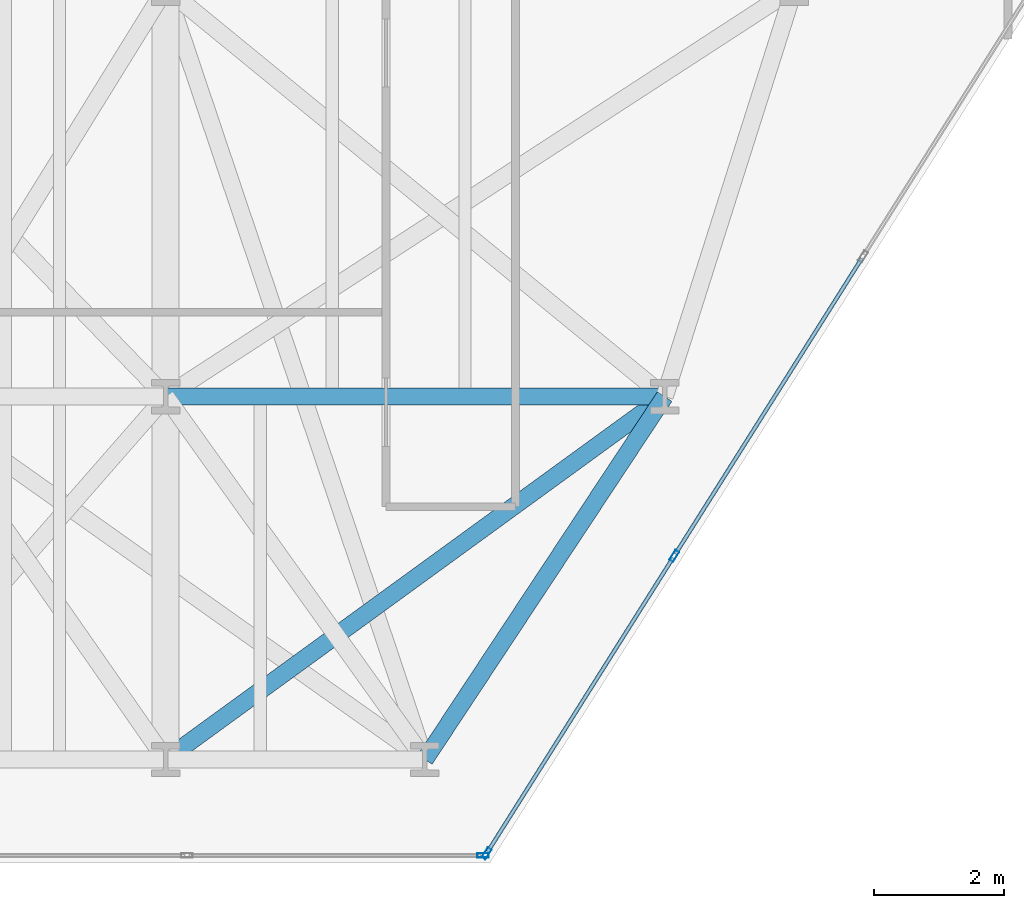
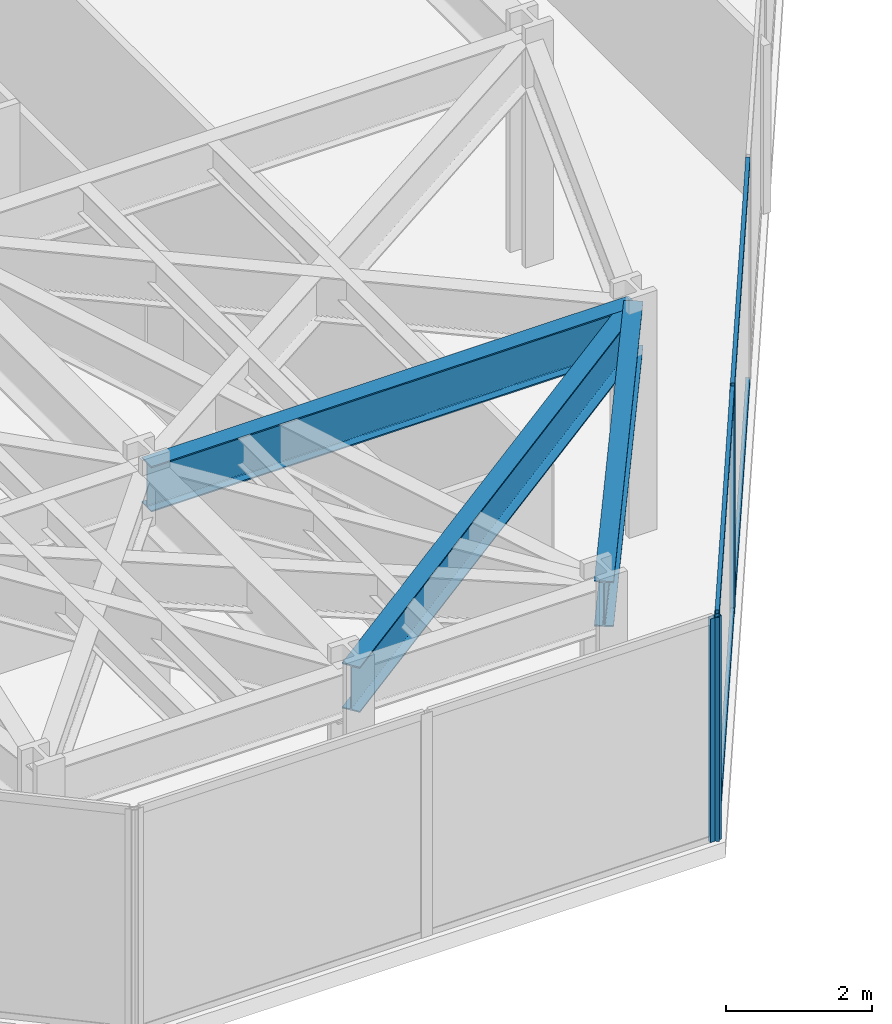
# One storey, part 5 of 25: 7 members, 3 beams, 2 elements without a shape of their own.
"""IFC4 building model written with IfcOpenShell, lengths in metres."""

import ifcopenshell
import ifcopenshell.guid

model = None  # the IFC model being written
_history = None  # IfcOwnerHistory: only IFC2X3 demands one
_inside = {}  # id of a spatial element -> (the spatial element, [elements in it])
_under = {}  # id of a project, library or spatial element -> (it, [spatial elements below it])
_declared = {}  # id of a project -> (the project, [libraries it declares])
_typed = {}  # id of a type object -> (the type object, [elements of that type])
_made_of = {}  # id of a material, layer set ... -> (it, [elements and type objects made of it])


def new_model(schema):
    """Start an empty IFC model of exactly this schema.

    Asked for "IFC4X3", IfcOpenShell would pick the latest addendum, in which some entities
    have other attributes; the version numbers below select the first issue.
    IFC2X3 requires an IfcOwnerHistory on every rooted entity: one is made here for all.
    """
    global model, _history
    if schema == "IFC4X3":
        model = ifcopenshell.file(schema_version=(4, 3, 0, 0))
    else:
        model = ifcopenshell.file(schema=schema)
    _inside.clear()
    _under.clear()
    _declared.clear()
    _typed.clear()
    _made_of.clear()
    _history = None
    if model.schema == "IFC2X3":
        org = make("IfcOrganization", Name="unknown")
        user = make(
            "IfcPersonAndOrganization",
            ThePerson=make("IfcPerson", FamilyName="unknown"),
            TheOrganization=org,
        )
        app = make(
            "IfcApplication",
            ApplicationDeveloper=org,
            Version="unknown",
            ApplicationFullName="unknown",
            ApplicationIdentifier="unknown",
        )
        _history = make(
            "IfcOwnerHistory",
            OwningUser=user,
            OwningApplication=app,
            ChangeAction="ADDED",
            CreationDate=0,
        )
    return model


def make(cls, **values):
    """One entity of the class cls with the attributes given. An attribute that is None is left unset."""
    return model.create_entity(
        cls, **{name: value for name, value in values.items() if value is not None}
    )


def rooted(cls, **values):
    """An entity with a GlobalId (a new one), such as an element, a storey or a relation."""
    return make(cls, GlobalId=ifcopenshell.guid.new(), OwnerHistory=_history, **values)


def si_unit(unit_type, name, prefix=None):
    """IfcSIUnit, for example si_unit("LENGTHUNIT", "METRE", prefix="MILLI")."""
    return make("IfcSIUnit", UnitType=unit_type, Prefix=prefix, Name=name)


def assignment(units):
    """IfcUnitAssignment: the units of a project."""
    return None if units is None else make("IfcUnitAssignment", Units=units)


def point(xyz):
    """IfcCartesianPoint."""
    return None if xyz is None else make("IfcCartesianPoint", Coordinates=xyz)


def direction(xyz):
    """IfcDirection."""
    return None if xyz is None else make("IfcDirection", DirectionRatios=xyz)


def frame(location, z_axis=None, x_axis=None):
    """IfcAxis2Placement3D, a coordinate frame: its origin and axes. An axis left out is left unset."""
    return make(
        "IfcAxis2Placement3D",
        Location=point(location),
        Axis=direction(z_axis),
        RefDirection=direction(x_axis),
    )


def frame_2d(location, x_axis=None):
    """IfcAxis2Placement2D, a coordinate frame in the plane: its origin and x axis."""
    return make(
        "IfcAxis2Placement2D", Location=point(location), RefDirection=direction(x_axis)
    )


def origin():
    """The frame at (0, 0, 0) with its axes left unset."""
    return frame((0.0, 0.0, 0.0))


def origin_2d():
    """The frame at (0, 0) in the plane with its x axis left unset."""
    return frame_2d((0.0, 0.0))


def place(relative_to, where):
    """IfcLocalPlacement: puts the frame where relative to a parent placement (None: the world)."""
    return make(
        "IfcLocalPlacement", PlacementRelTo=relative_to, RelativePlacement=where
    )


def context(
    kind, dimensions, precision=None, world=None, true_north=None, identifier=None
):
    """IfcGeometricRepresentationContext, for example the 3D "Model" context."""
    return make(
        "IfcGeometricRepresentationContext",
        ContextIdentifier=identifier,
        ContextType=kind,
        CoordinateSpaceDimension=dimensions,
        Precision=precision,
        WorldCoordinateSystem=world,
        TrueNorth=true_north,
    )


def subcontext(parent, identifier, kind, view, scale=None):
    """IfcGeometricRepresentationSubContext, for example "Body" below "Model"."""
    return make(
        "IfcGeometricRepresentationSubContext",
        ContextIdentifier=identifier,
        ContextType=kind,
        ParentContext=parent,
        TargetScale=scale,
        TargetView=view,
    )


def project(units=None, contexts=None):
    """IfcProject with its units and contexts."""
    return rooted(
        "IfcProject",
        Name="project",
        RepresentationContexts=contexts,
        UnitsInContext=assignment(units),
    )


def spatial(cls, under=None, at=None, **own):
    """A site, building, storey or space (cls), placed at a placement, below another one or the project."""
    s = rooted(cls, ObjectPlacement=at, **own)
    if under is not None:
        _under.setdefault(under.id(), (under, []))[1].append(s)
    return s


def profile(cls, at=None, kind="AREA", **sizes):
    """A parametric profile (cls). Its sizes go by their IFC names, for example OverallWidth=200.0."""
    return make(cls, ProfileType=kind, Position=at, **sizes)


def hollow_rectangle(**sizes):
    """IfcRectangleHollowProfileDef."""
    return profile("IfcRectangleHollowProfileDef", **sizes)


def i_section(**sizes):
    """IfcIShapeProfileDef."""
    return profile("IfcIShapeProfileDef", **sizes)


def extrude(swept, where, along, depth):
    """IfcExtrudedAreaSolid: the profile swept, set in the frame where, extruded along a direction by depth."""
    return make(
        "IfcExtrudedAreaSolid",
        SweptArea=swept,
        Position=where,
        ExtrudedDirection=direction(along),
        Depth=depth,
    )


def shape(context_of_items, identifier, shape_type, items):
    """IfcShapeRepresentation: the items that make up one representation, for example the "Body"."""
    return make(
        "IfcShapeRepresentation",
        ContextOfItems=context_of_items,
        RepresentationIdentifier=identifier,
        RepresentationType=shape_type,
        Items=items,
    )


def material(Name=None, Category=None):
    """IfcMaterial."""
    return make("IfcMaterial", Name=Name, Category=Category)


def layer(
    of_material, thickness, ventilated=None, Name=None, Category=None, Priority=None
):
    """IfcMaterialLayer: one layer of a wall or slab, of a material (None: an air gap)."""
    return make(
        "IfcMaterialLayer",
        Material=of_material,
        LayerThickness=thickness,
        IsVentilated=ventilated,
        Name=Name,
        Category=Category,
        Priority=Priority,
    )


def layer_set(layers, Name=None):
    """IfcMaterialLayerSet."""
    return make("IfcMaterialLayerSet", MaterialLayers=layers, LayerSetName=Name)


def material_profile(
    of_material, cross_section, Name=None, Category=None, Priority=None
):
    """IfcMaterialProfile: a cross section and its material."""
    return make(
        "IfcMaterialProfile",
        Name=Name,
        Material=of_material,
        Profile=cross_section,
        Priority=Priority,
        Category=Category,
    )


def profile_set(profiles, Name=None, composite=None):
    """IfcMaterialProfileSet."""
    return make(
        "IfcMaterialProfileSet",
        Name=Name,
        MaterialProfiles=profiles,
        CompositeProfile=composite,
    )


def made_of(thing, what):
    """Note that an element or type object is made of a material, layer set ...; save() writes the relation."""
    if what is not None:
        _made_of.setdefault(what.id(), (what, []))[1].append(thing)
    return thing


def type_object(cls, material=None, **own):
    """A type object (cls), such as IfcWallType, which elements share."""
    return made_of(rooted(cls, **own), material)


def element(
    cls,
    number,
    at=None,
    inside=None,
    cuts=None,
    type_object=None,
    material=None,
    context=None,
    identifier="Body",
    shape_type=None,
    held_by="IfcProductDefinitionShape",
    body=None,
    shapes=None,
    **own,
):
    """One element of the class cls, such as IfcWall. Its Tag is "e" and its number.

    at: its placement. inside: the storey or other place that contains it. cuts: it is an
    opening in that element (IfcRelVoidsElement). A single representation is given by context,
    identifier, shape_type and body (its items); several are given by shapes. held_by: the class
    of the entity that holds the representations. save() writes the other relations.
    """
    e = rooted(cls, Tag="e%d" % number, ObjectPlacement=at, **own)
    if body is not None:
        shapes = [shape(context, identifier, shape_type, body)]
    if shapes is not None:
        e.Representation = make(held_by, Representations=shapes)
    if inside is not None:
        _inside.setdefault(inside.id(), (inside, []))[1].append(e)
    if cuts is not None:
        rooted(
            "IfcRelVoidsElement", RelatingBuildingElement=cuts, RelatedOpeningElement=e
        )
    if type_object is not None:
        _typed.setdefault(type_object.id(), (type_object, []))[1].append(e)
    return made_of(e, material)


def aggregate(whole, parts):
    """IfcRelAggregates: a whole, such as a stair, and the parts it consists of."""
    return rooted("IfcRelAggregates", RelatingObject=whole, RelatedObjects=parts)


def save(model, path):
    """Write the relations noted so far, then the file.

    IfcRelAggregates (storeys below a building ...), IfcRelContainedInSpatialStructure (elements
    in a storey), IfcRelDefinesByType, IfcRelAssociatesMaterial and IfcRelDeclares: one each for
    every whole, place, type object, material and project.
    """
    for whole, parts in _under.values():
        aggregate(whole, parts)
    for where, things in _inside.values():
        rooted(
            "IfcRelContainedInSpatialStructure",
            RelatedElements=things,
            RelatingStructure=where,
        )
    for kind, things in _typed.values():
        rooted("IfcRelDefinesByType", RelatedObjects=things, RelatingType=kind)
    for what, things in _made_of.values():
        rooted("IfcRelAssociatesMaterial", RelatedObjects=things, RelatingMaterial=what)
    for by, libraries in _declared.values():
        rooted("IfcRelDeclares", RelatingContext=by, RelatedDefinitions=libraries)
    model.write(path)


model = new_model("IFC4")

# Units and contexts
model_context = context("Model", 3, precision=1e-05, world=origin(), true_north=direction((0.0, 1.0)))
body_context = subcontext(model_context, "Body", "Model", "MODEL_VIEW")
ifc_project = project(units=[si_unit("LENGTHUNIT", "METRE"), si_unit("AREAUNIT", "SQUARE_METRE"), si_unit("VOLUMEUNIT", "CUBIC_METRE"), si_unit("PLANEANGLEUNIT", "RADIAN"), si_unit("MASSUNIT", "GRAM", prefix="KILO")], contexts=[model_context])

# Site, building, storey
site_placement = place(None, origin())
site = spatial("IfcSite", under=ifc_project, at=site_placement, CompositionType="ELEMENT")
building_placement = place(site_placement, origin())
building = spatial("IfcBuilding", under=site, at=building_placement, Name="Kravanh Interchange Tower", CompositionType="ELEMENT")
storey_placement = place(building_placement, frame((0.0, 0.0, 57.5)))
storey = spatial("IfcBuildingStorey", under=building, at=storey_placement, Name="L13", CompositionType="ELEMENT", Elevation=57.5)

# Curtain wall, members
ifc_material_1 = material(Name="Anodised Bronze Aluminium", Category="aluminium")
ifc_layer = layer(ifc_material_1, 0.179931640625)
ifc_layer_set = layer_set([ifc_layer], Name="Unitised Curtain Wall System CW-Z1 Lower Office")
curtain_wall_type = type_object("IfcCurtainWallType", Name="Unitised Curtain Wall System CW-Z1 Lower Office", PredefinedType="NOTDEFINED", material=ifc_layer_set)
curtain_wall_1_placement = place(storey_placement, origin())
curtain_wall_1 = element("IfcCurtainWall", 1, at=curtain_wall_1_placement, inside=storey, type_object=curtain_wall_type, Name="L13 Unitised Curtain Wall CW-L13-05", PredefinedType="NOTDEFINED")
ifc_material_2 = material(Name="Anodised Bronze Aluminium", Category="aluminium")
ifc_material_profile_1 = material_profile(ifc_material_2, hollow_rectangle(XDim=0.070068359375, YDim=0.179931640625, WallThickness=0.00390625, at=origin_2d()), Name="ALU70X180X4")
ifc_profile_set_1 = profile_set([ifc_material_profile_1], Name="Anodised Bronze Aluminium")
member_type_1 = type_object("IfcMemberType", Name="Curtain Wall Mullion ALU70X180X4 Bronze", PredefinedType="MULLION", material=ifc_profile_set_1)
member_1_placement = place(storey_placement, frame((25.346923828125, 5.740966796875, 0.0), z_axis=(0.0, 0.0, 1.0), x_axis=(0.845925530786, -0.53330103728, 0.0)))
member_1 = element("IfcMember", 2, at=member_1_placement, type_object=member_type_1, Name="CW-Z1 mullion 5", PredefinedType="MULLION", context=body_context, shape_type="SweptSolid", body=[
    extrude(hollow_rectangle(XDim=0.070068359375, YDim=0.179931640625, WallThickness=0.00390625, at=origin_2d()), origin(), (0.0, 0.0, 1.0), 3.739990234375),
])
member_2_placement = place(storey_placement, frame((22.452392578125, 1.149658203125, 0.0), z_axis=(0.0, 0.0, 1.0), x_axis=(0.845925530786, -0.53330103728, 0.0)))
member_2 = element("IfcMember", 3, at=member_2_placement, type_object=member_type_1, Name="CW-Z1 mullion 6", PredefinedType="MULLION", context=body_context, shape_type="SweptSolid", body=[
    extrude(hollow_rectangle(XDim=0.070068359375, YDim=0.179931640625, WallThickness=0.00390625, at=origin_2d()), origin(), (0.0, 0.0, 1.0), 3.739990234375),
])

# Curtain wall, member
curtain_wall_2_placement = place(storey_placement, origin())
curtain_wall_2 = element("IfcCurtainWall", 4, at=curtain_wall_2_placement, inside=storey, type_object=curtain_wall_type, Name="L13 Unitised Curtain Wall CW-L13-06", PredefinedType="NOTDEFINED")
member_3_placement = place(storey_placement, frame((22.398681640625, 1.1201171875, 0.0), z_axis=(0.0, 0.0, 1.0), x_axis=(0.0, -1.0, 0.0)))
member_3 = element("IfcMember", 5, at=member_3_placement, type_object=member_type_1, Name="CW-Z1 mullion 1", PredefinedType="MULLION", context=body_context, shape_type="SweptSolid", body=[
    extrude(hollow_rectangle(XDim=0.070068359375, YDim=0.179931640625, WallThickness=0.00390625, at=origin_2d()), origin(), (0.0, 0.0, 1.0), 3.739990234375),
])
aggregate(curtain_wall_2, [member_3])

# Member
ifc_material_3 = material(Name="Anodised Bronze Aluminium", Category="aluminium")
ifc_material_profile_2 = material_profile(ifc_material_3, hollow_rectangle(XDim=0.06005859375, YDim=0.139892578125, WallThickness=0.00390625, at=origin_2d()), Name="ALU60X140X4")
ifc_profile_set_2 = profile_set([ifc_material_profile_2], Name="Anodised Bronze Aluminium")
member_type_2 = type_object("IfcMemberType", Name="Curtain Wall Transom ALU60X140X4 Bronze", PredefinedType="USERDEFINED", material=ifc_profile_set_2)
member_4_placement = place(storey_placement, frame((28.24169921875, 10.332275390625, 0.030029296875), z_axis=(-0.533311487456, -0.84591894254, 0.0), x_axis=(0.84591894254, -0.533311487456, 0.0)))
member_4 = element("IfcMember", 6, at=member_4_placement, type_object=member_type_2, Name="CW-Z1 transom 4.1", ObjectType="TRANSOM", PredefinedType="USERDEFINED", context=body_context, shape_type="SweptSolid", body=[
    extrude(hollow_rectangle(XDim=0.06005859375, YDim=0.139892578125, WallThickness=0.00390625, at=origin_2d()), origin(), (0.0, 0.0, 1.0), 5.392578125),
])

member_5_placement = place(storey_placement, frame((28.24169921875, 10.332275390625, 3.7099609375), z_axis=(-0.533311487456, -0.84591894254, 0.0), x_axis=(0.84591894254, -0.533311487456, 0.0)))
member_5 = element("IfcMember", 7, at=member_5_placement, type_object=member_type_2, Name="CW-Z1 transom 4.2", ObjectType="TRANSOM", PredefinedType="USERDEFINED", context=body_context, shape_type="SweptSolid", body=[
    extrude(hollow_rectangle(XDim=0.06005859375, YDim=0.139892578125, WallThickness=0.00390625, at=origin_2d()), origin(), (0.0, 0.0, 1.0), 5.392578125),
])

member_6_placement = place(storey_placement, frame((25.328369140625, 5.71142578125, 0.030029296875), z_axis=(-0.533288163518, -0.845933646719, 0.0), x_axis=(0.845933646719, -0.533288163518, 0.0)))
member_6 = element("IfcMember", 8, at=member_6_placement, type_object=member_type_2, Name="CW-Z1 transom 5.1", ObjectType="TRANSOM", PredefinedType="USERDEFINED", context=body_context, shape_type="SweptSolid", body=[
    extrude(hollow_rectangle(XDim=0.06005859375, YDim=0.139892578125, WallThickness=0.00390625, at=origin_2d()), origin(), (0.0, 0.0, 1.0), 5.357666015625),
])

member_7_placement = place(storey_placement, frame((25.328369140625, 5.71142578125, 3.7099609375), z_axis=(-0.533288163518, -0.845933646719, 0.0), x_axis=(0.845933646719, -0.533288163518, 0.0)))
member_7 = element("IfcMember", 9, at=member_7_placement, type_object=member_type_2, Name="CW-Z1 transom 5.2", ObjectType="TRANSOM", PredefinedType="USERDEFINED", context=body_context, shape_type="SweptSolid", body=[
    extrude(hollow_rectangle(XDim=0.06005859375, YDim=0.139892578125, WallThickness=0.00390625, at=origin_2d()), origin(), (0.0, 0.0, 1.0), 5.357666015625),
])

aggregate(curtain_wall_1, [member_1, member_2, member_4, member_5, member_6, member_7])

# Beams
ifc_material_4 = material(Name="Structural Steel S355", Category="steel")
ifc_material_profile_3 = material_profile(ifc_material_4, i_section(OverallWidth=0.26708984375, OverallDepth=0.761962890625, WebThickness=0.014404296875, FlangeThickness=0.021484375, FilletRadius=0.02490234375, at=origin_2d()), Name="W30X116")
ifc_profile_set_3 = profile_set([ifc_material_profile_3], Name="Structural Steel S355")
beam_type = type_object("IfcBeamType", Name="Floor Spandrel W30X116 Structural Steel S355", PredefinedType="SPANDREL", material=ifc_profile_set_3)
beam_1_placement = place(storey_placement, frame((17.5, 2.60009765625, 3.35888671875), z_axis=(0.808741628611, 0.588164074176, 0.0), x_axis=(-0.588164074176, 0.808741628611, 0.0)))
element("IfcBeam", 10, at=beam_1_placement, inside=storey, type_object=beam_type, Name="L13 Perimeter Spandrel 105", PredefinedType="SPANDREL", context=body_context, shape_type="SweptSolid", body=[
    extrude(i_section(OverallWidth=0.26708984375, OverallDepth=0.761962890625, WebThickness=0.014404296875, FlangeThickness=0.021484375, FilletRadius=0.02490234375, at=origin_2d()), origin(), (0.0, 0.0, 1.0), 9.52099609375),
])
beam_2_placement = place(storey_placement, frame((21.5, 2.60009765625, 3.35888671875), z_axis=(0.551262239226, 0.834332034386, 0.0), x_axis=(-0.834332034386, 0.551262239226, 0.0)))
element("IfcBeam", 11, at=beam_2_placement, inside=storey, type_object=beam_type, Name="L13 Perimeter Spandrel 121", PredefinedType="SPANDREL", context=body_context, shape_type="SweptSolid", body=[
    extrude(i_section(OverallWidth=0.26708984375, OverallDepth=0.761962890625, WebThickness=0.014404296875, FlangeThickness=0.021484375, FilletRadius=0.02490234375, at=origin_2d()), origin(), (0.0, 0.0, 1.0), 6.711669921875),
])
beam_3_placement = place(storey_placement, frame((17.5, 8.199951171875, 3.35888671875), z_axis=(1.0, 0.0, 0.0), x_axis=(0.0, 1.0, 0.0)))
element("IfcBeam", 12, at=beam_3_placement, inside=storey, type_object=beam_type, Name="L13 Perimeter Spandrel 137", PredefinedType="SPANDREL", context=body_context, shape_type="SweptSolid", body=[
    extrude(i_section(OverallWidth=0.26708984375, OverallDepth=0.761962890625, WebThickness=0.014404296875, FlangeThickness=0.021484375, FilletRadius=0.02490234375, at=origin_2d()), origin(), (0.0, 0.0, 1.0), 7.699951171875),
])

save(model, "model.ifc")
